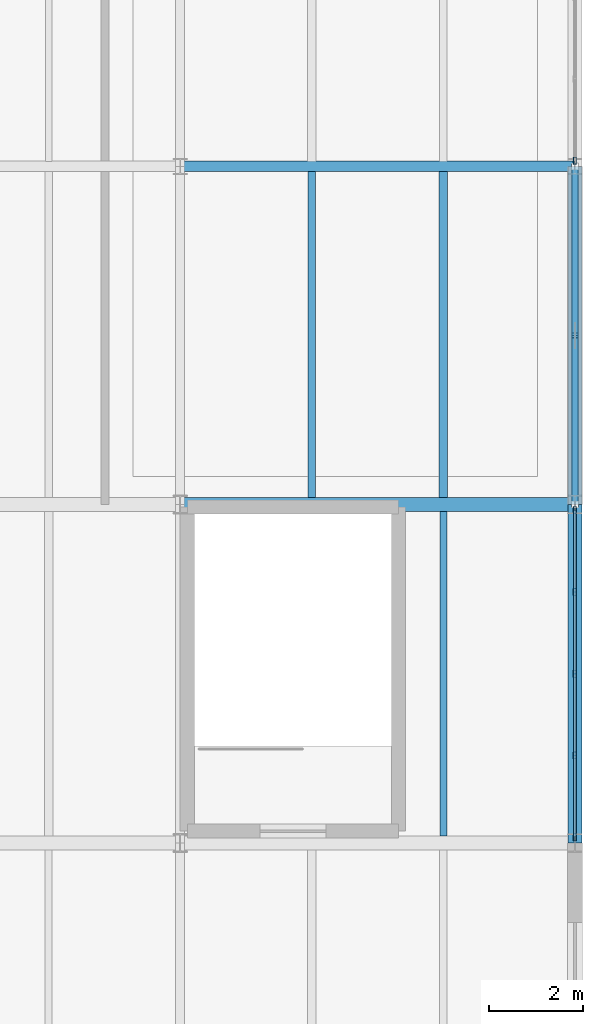
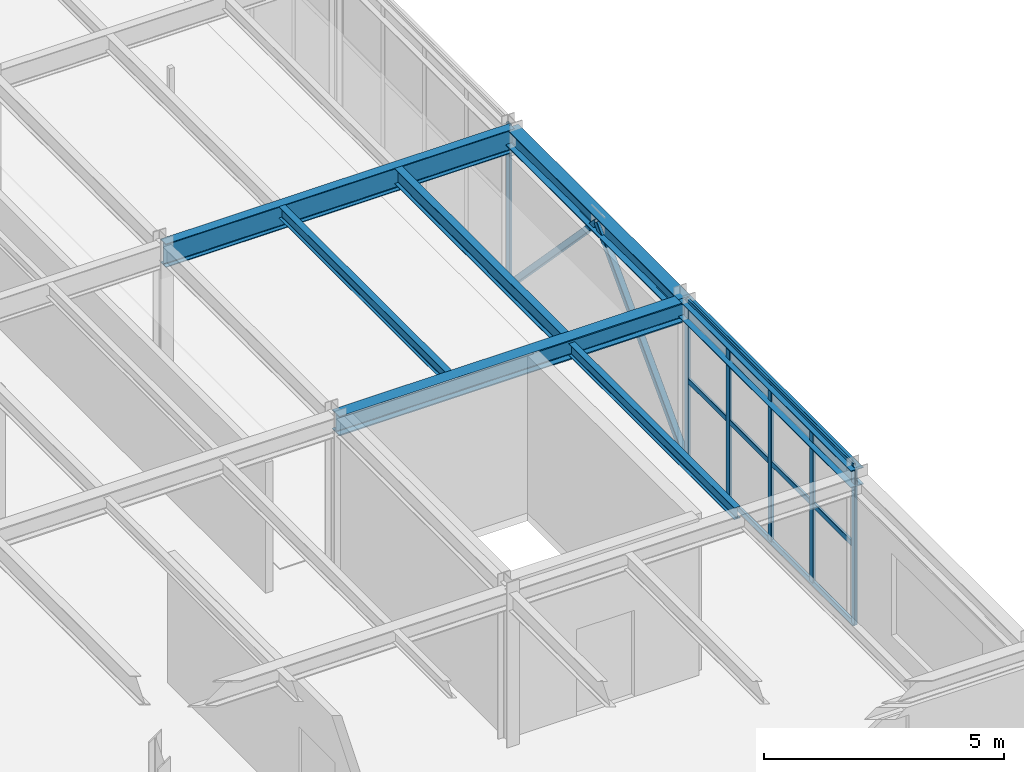
# One storey, part 31 of 73: 11 members, 7 beams, 2 elements without a shape of their own.
"""IFC4 building model written with IfcOpenShell, lengths in metres."""

from ifc_helpers import new_model, si_unit, derived_unit, direction, frame, origin, origin_2d, place, context, subcontext, project, spatial, hollow_rectangle, i_section, extrude, material, material_profile, profile_set, type_object, element, aggregate, save


model = new_model("IFC4")

# Units and contexts
model_context = context("Model", 3, precision=1e-05, world=origin(), true_north=direction((0.0, 1.0)))
body_context = subcontext(model_context, "Body", "Model", "MODEL_VIEW")
ifc_project = project(units=[si_unit("LENGTHUNIT", "METRE"), si_unit("AREAUNIT", "SQUARE_METRE"), si_unit("VOLUMEUNIT", "CUBIC_METRE"), si_unit("PLANEANGLEUNIT", "RADIAN"), si_unit("MASSUNIT", "GRAM", prefix="KILO"), derived_unit("THERMALTRANSMITTANCEUNIT", [(si_unit("MASSUNIT", "GRAM", prefix="KILO"), 1), (si_unit("TIMEUNIT", "SECOND"), -3), (si_unit("THERMODYNAMICTEMPERATUREUNIT", "KELVIN"), -1)])], contexts=[model_context])

# Site, building, storey
site_placement = place(None, origin())
site = spatial("IfcSite", under=ifc_project, at=site_placement, CompositionType="ELEMENT")
building_placement = place(site_placement, origin())
building = spatial("IfcBuilding", under=site, at=building_placement, Name="Kharveza Railside Sports Centre", CompositionType="ELEMENT")
storey_placement = place(building_placement, frame((0.0, 0.0, 8.699951171875)))
storey = spatial("IfcBuildingStorey", under=building, at=storey_placement, Name="L02", CompositionType="ELEMENT", Elevation=8.699951171875)

# Beams
ifc_material_1 = material(Name="Steel S355J2", Category="steel")
ifc_material_profile_1 = material_profile(ifc_material_1, i_section(OverallWidth=0.219970703125, OverallDepth=0.60009765625, WebThickness=0.011962890625, FlangeThickness=0.01904296875, FilletRadius=0.02392578125, at=origin_2d()), Name="IPE 600")
ifc_profile_set_1 = profile_set([ifc_material_profile_1], Name="Steel S355J2")
beam_type_1 = type_object("IfcBeamType", Name="BM-G01", PredefinedType="T_BEAM", material=ifc_profile_set_1)
beam_1_placement = place(storey_placement, frame((159.60009765625, 28.800048828125, 3.699951171875), z_axis=(1.0, 0.0, 0.0), x_axis=(0.0, 1.0, 0.0)))
element("IfcBeam", 1, at=beam_1_placement, inside=storey, type_object=beam_type_1, Name="BM-EW-L02-B01-X1596-Y288", PredefinedType="T_BEAM", context=body_context, shape_type="SweptSolid", body=[
    extrude(i_section(OverallWidth=0.219970703125, OverallDepth=0.60009765625, WebThickness=0.011962890625, FlangeThickness=0.01904296875, FilletRadius=0.02392578125, at=origin_2d()), origin(), (0.0, 0.0, 1.0), 8.39990234375),
])
ifc_material_profile_2 = material_profile(ifc_material_1, i_section(OverallWidth=0.300048828125, OverallDepth=0.5, WebThickness=0.014404296875, FlangeThickness=0.028076171875, FilletRadius=0.027099609375, at=origin_2d()), Name="HEB 500")
ifc_profile_set_2 = profile_set([ifc_material_profile_2], Name="Steel S355J2")
beam_type_2 = type_object("IfcBeamType", Name="BM-G05", PredefinedType="T_BEAM", material=ifc_profile_set_2)
beam_2_placement = place(storey_placement, frame((159.60009765625, 21.60009765625, 3.75), z_axis=(1.0, 0.0, 0.0), x_axis=(0.0, 1.0, 0.0)))
element("IfcBeam", 2, at=beam_2_placement, inside=storey, type_object=beam_type_2, Name="BM-EW-L02-B05-X1596-Y216", PredefinedType="T_BEAM", context=body_context, shape_type="SweptSolid", body=[
    extrude(i_section(OverallWidth=0.300048828125, OverallDepth=0.5, WebThickness=0.014404296875, FlangeThickness=0.028076171875, FilletRadius=0.027099609375, at=origin_2d()), origin(), (0.0, 0.0, 1.0), 8.39990234375),
])
ifc_material_profile_3 = material_profile(ifc_material_1, i_section(OverallWidth=0.179931640625, OverallDepth=0.39990234375, WebThickness=0.008544921875, FlangeThickness=0.013427734375, FilletRadius=0.02099609375, at=origin_2d()), Name="IPE 400")
ifc_profile_set_3 = profile_set([ifc_material_profile_3], Name="Steel S355J2")
beam_type_3 = type_object("IfcBeamType", Name="BM-S01", PredefinedType="BEAM", material=ifc_profile_set_3)
beam_3_placement = place(storey_placement, frame((165.199951171875, 21.7470703125, 3.800048828125), z_axis=(0.0, 1.0, 0.0), x_axis=(-1.0, 0.0, 0.0)))
element("IfcBeam", 3, at=beam_3_placement, inside=storey, type_object=beam_type_3, Name="BM-SEC-L02-B09-X1652-Y216", PredefinedType="BEAM", context=body_context, shape_type="SweptSolid", body=[
    extrude(i_section(OverallWidth=0.179931640625, OverallDepth=0.39990234375, WebThickness=0.008544921875, FlangeThickness=0.013427734375, FilletRadius=0.02099609375, at=origin_2d()), origin(), (0.0, 0.0, 1.0), 6.946044921875),
])
ifc_material_profile_4 = material_profile(ifc_material_1, i_section(OverallWidth=0.14990234375, OverallDepth=0.300048828125, WebThickness=0.007080078125, FlangeThickness=0.0107421875, FilletRadius=0.014892578125, at=origin_2d()), Name="IPE 300")
ifc_profile_set_4 = profile_set([ifc_material_profile_4], Name="Steel S355J2")
beam_type_4 = type_object("IfcBeamType", Name="BM-S04", PredefinedType="BEAM", material=ifc_profile_set_4)
beam_4_placement = place(storey_placement, frame((165.199951171875, 14.547119140625, 3.77001953125), z_axis=(0.0, 1.0, 0.0), x_axis=(-1.0, 0.0, 0.0)))
element("IfcBeam", 4, at=beam_4_placement, inside=storey, type_object=beam_type_4, Name="BM-SEC-L02-B12-X1652-Y144", PredefinedType="BEAM", context=body_context, shape_type="SweptSolid", body=[
    extrude(i_section(OverallWidth=0.14990234375, OverallDepth=0.300048828125, WebThickness=0.007080078125, FlangeThickness=0.0107421875, FilletRadius=0.014892578125, at=origin_2d()), origin(), (0.0, 0.0, 1.0), 6.90576171875),
])
beam_5_placement = place(storey_placement, frame((162.39990234375, 21.7470703125, 3.85009765625), z_axis=(0.0, 1.0, 0.0), x_axis=(-1.0, 0.0, 0.0)))
element("IfcBeam", 5, at=beam_5_placement, inside=storey, type_object=beam_type_4, Name="BM-SEC-L02-B12-X1624-Y216", PredefinedType="BEAM", context=body_context, shape_type="SweptSolid", body=[
    extrude(i_section(OverallWidth=0.14990234375, OverallDepth=0.300048828125, WebThickness=0.007080078125, FlangeThickness=0.0107421875, FilletRadius=0.014892578125, at=origin_2d()), origin(), (0.0, 0.0, 1.0), 6.946044921875),
])
ifc_material_profile_5 = material_profile(ifc_material_1, i_section(OverallWidth=0.300048828125, OverallDepth=0.43994140625, WebThickness=0.011474609375, FlangeThickness=0.02099609375, FilletRadius=0.027099609375, at=origin_2d()), Name="HEA 450")
ifc_profile_set_5 = profile_set([ifc_material_profile_5], Name="Steel S355J2")
beam_type_5 = type_object("IfcBeamType", Name="BM-SP01", PredefinedType="SPANDREL", material=ifc_profile_set_5)
beam_6_placement = place(storey_placement, frame((168.0, 14.39990234375, 3.780029296875), z_axis=(0.0, 1.0, 0.0), x_axis=(-1.0, 0.0, 0.0)))
element("IfcBeam", 6, at=beam_6_placement, inside=storey, type_object=beam_type_5, Name="BM-NS-L02-B15-X1680-Y144", PredefinedType="SPANDREL", context=body_context, shape_type="SweptSolid", body=[
    extrude(i_section(OverallWidth=0.300048828125, OverallDepth=0.43994140625, WebThickness=0.011474609375, FlangeThickness=0.02099609375, FilletRadius=0.027099609375, at=origin_2d()), origin(), (0.0, 0.0, 1.0), 7.2001953125),
])
beam_7_placement = place(storey_placement, frame((168.0, 21.60009765625, 3.780029296875), z_axis=(0.0, 1.0, 0.0), x_axis=(-1.0, 0.0, 0.0)))
element("IfcBeam", 7, at=beam_7_placement, inside=storey, type_object=beam_type_5, Name="BM-NS-L02-B15-X1680-Y216", PredefinedType="SPANDREL", context=body_context, shape_type="SweptSolid", body=[
    extrude(i_section(OverallWidth=0.300048828125, OverallDepth=0.43994140625, WebThickness=0.011474609375, FlangeThickness=0.02099609375, FilletRadius=0.027099609375, at=origin_2d()), origin(), (0.0, 0.0, 1.0), 7.199951171875),
])

# Curtain wall, members
ifc_material_2 = material(Name="Low-E solar-control laminated glass", Category="glass")
curtain_wall_type = type_object("IfcCurtainWallType", Name="CW-WG02", PredefinedType="NOTDEFINED", material=ifc_material_2)
curtain_wall_1_placement = place(storey_placement, origin())
curtain_wall_1 = element("IfcCurtainWall", 8, at=curtain_wall_1_placement, inside=storey, type_object=curtain_wall_type, Name="CW-WG-L02-CW-WG02-X1680-Y180", PredefinedType="NOTDEFINED")
ifc_material_3 = material(Name="Anodised aluminium 6063-T6", Category="aluminium")
ifc_material_profile_6 = material_profile(ifc_material_3, hollow_rectangle(XDim=0.06494140625, YDim=0.14990234375, WallThickness=0.0048828125, InnerFilletRadius=0.0048828125, OuterFilletRadius=0.010009765625, at=origin_2d()), Name="RHS 65x150x5.0")
ifc_profile_set_6 = profile_set([ifc_material_profile_6], Name="Anodised aluminium 6063-T6")
member_type_1 = type_object("IfcMemberType", Name="CW-ML04", PredefinedType="MULLION", material=ifc_profile_set_6)
member_1_placement = place(storey_placement, frame((168.0, 14.52001953125, 0.0), z_axis=(0.0, 0.0, 1.0), x_axis=(1.0, 0.0, 0.0)))
member_1 = element("IfcMember", 9, at=member_1_placement, type_object=member_type_1, Name="CW-WG-L02-CW-WG02-X1680-Y180-ML1", PredefinedType="MULLION", context=body_context, shape_type="SweptSolid", body=[
    extrude(hollow_rectangle(XDim=0.06494140625, YDim=0.14990234375, WallThickness=0.0048828125, InnerFilletRadius=0.0048828125, OuterFilletRadius=0.010009765625, at=origin_2d()), origin(), (0.0, 0.0, 1.0), 4.0),
])
member_2_placement = place(storey_placement, frame((168.0, 16.260009765625, 0.0), z_axis=(0.0, 0.0, 1.0), x_axis=(1.0, 0.0, 0.0)))
member_2 = element("IfcMember", 10, at=member_2_placement, type_object=member_type_1, Name="CW-WG-L02-CW-WG02-X1680-Y180-ML2", PredefinedType="MULLION", context=body_context, shape_type="SweptSolid", body=[
    extrude(hollow_rectangle(XDim=0.06494140625, YDim=0.14990234375, WallThickness=0.0048828125, InnerFilletRadius=0.0048828125, OuterFilletRadius=0.010009765625, at=origin_2d()), origin(), (0.0, 0.0, 1.0), 4.0),
])
member_3_placement = place(storey_placement, frame((168.0, 18.0, 0.0), z_axis=(0.0, 0.0, 1.0), x_axis=(1.0, 0.0, 0.0)))
member_3 = element("IfcMember", 11, at=member_3_placement, type_object=member_type_1, Name="CW-WG-L02-CW-WG02-X1680-Y180-ML3", PredefinedType="MULLION", context=body_context, shape_type="SweptSolid", body=[
    extrude(hollow_rectangle(XDim=0.06494140625, YDim=0.14990234375, WallThickness=0.0048828125, InnerFilletRadius=0.0048828125, OuterFilletRadius=0.010009765625, at=origin_2d()), origin(), (0.0, 0.0, 1.0), 4.0),
])
member_4_placement = place(storey_placement, frame((168.0, 19.739990234375, 0.0), z_axis=(0.0, 0.0, 1.0), x_axis=(1.0, 0.0, 0.0)))
member_4 = element("IfcMember", 12, at=member_4_placement, type_object=member_type_1, Name="CW-WG-L02-CW-WG02-X1680-Y180-ML4", PredefinedType="MULLION", context=body_context, shape_type="SweptSolid", body=[
    extrude(hollow_rectangle(XDim=0.06494140625, YDim=0.14990234375, WallThickness=0.0048828125, InnerFilletRadius=0.0048828125, OuterFilletRadius=0.010009765625, at=origin_2d()), origin(), (0.0, 0.0, 1.0), 4.0),
])
member_5_placement = place(storey_placement, frame((168.0, 21.47998046875, 0.0), z_axis=(0.0, 0.0, 1.0), x_axis=(1.0, 0.0, 0.0)))
member_5 = element("IfcMember", 13, at=member_5_placement, type_object=member_type_1, Name="CW-WG-L02-CW-WG02-X1680-Y180-ML5", PredefinedType="MULLION", context=body_context, shape_type="SweptSolid", body=[
    extrude(hollow_rectangle(XDim=0.06494140625, YDim=0.14990234375, WallThickness=0.0048828125, InnerFilletRadius=0.0048828125, OuterFilletRadius=0.010009765625, at=origin_2d()), origin(), (0.0, 0.0, 1.0), 4.0),
])

# Curtain wall, member
curtain_wall_2_placement = place(storey_placement, origin())
curtain_wall_2 = element("IfcCurtainWall", 14, at=curtain_wall_2_placement, inside=storey, type_object=curtain_wall_type, Name="CW-WG-L02-CW-WG02-X1680-Y324", PredefinedType="NOTDEFINED")
member_6_placement = place(storey_placement, frame((168.0, 28.919921875, 0.0), z_axis=(0.0, 0.0, 1.0), x_axis=(1.0, 0.0, 0.0)))
member_6 = element("IfcMember", 15, at=member_6_placement, type_object=member_type_1, Name="CW-WG-L02-CW-WG02-X1680-Y324-ML1", PredefinedType="MULLION", context=body_context, shape_type="SweptSolid", body=[
    extrude(hollow_rectangle(XDim=0.06494140625, YDim=0.14990234375, WallThickness=0.0048828125, InnerFilletRadius=0.0048828125, OuterFilletRadius=0.010009765625, at=origin_2d()), origin(), (0.0, 0.0, 1.0), 4.0),
])
aggregate(curtain_wall_2, [member_6])

# Member
ifc_material_profile_7 = material_profile(ifc_material_3, hollow_rectangle(XDim=0.06005859375, YDim=0.139892578125, WallThickness=0.0048828125, InnerFilletRadius=0.0048828125, OuterFilletRadius=0.010009765625, at=origin_2d()), Name="RHS 60x140x5.0")
ifc_profile_set_7 = profile_set([ifc_material_profile_7], Name="Anodised aluminium 6063-T6")
member_type_2 = type_object("IfcMemberType", Name="CW-TR04", PredefinedType="USERDEFINED", material=ifc_profile_set_7)
member_7_placement = place(storey_placement, frame((168.0, 14.52001953125, 0.0), z_axis=(0.0, 1.0, 0.0), x_axis=(-1.0, 0.0, 0.0)))
member_7 = element("IfcMember", 16, at=member_7_placement, type_object=member_type_2, Name="CW-WG-L02-CW-WG02-X1680-Y180-TR1", ObjectType="TRANSOM", PredefinedType="USERDEFINED", context=body_context, shape_type="SweptSolid", body=[
    extrude(hollow_rectangle(XDim=0.06005859375, YDim=0.139892578125, WallThickness=0.0048828125, InnerFilletRadius=0.0048828125, OuterFilletRadius=0.010009765625, at=origin_2d()), origin(), (0.0, 0.0, 1.0), 6.9599609375),
])

member_8_placement = place(storey_placement, frame((168.0, 14.52001953125, 2.0), z_axis=(0.0, 1.0, 0.0), x_axis=(-1.0, 0.0, 0.0)))
member_8 = element("IfcMember", 17, at=member_8_placement, type_object=member_type_2, Name="CW-WG-L02-CW-WG02-X1680-Y180-TR2", ObjectType="TRANSOM", PredefinedType="USERDEFINED", context=body_context, shape_type="SweptSolid", body=[
    extrude(hollow_rectangle(XDim=0.06005859375, YDim=0.139892578125, WallThickness=0.0048828125, InnerFilletRadius=0.0048828125, OuterFilletRadius=0.010009765625, at=origin_2d()), origin(), (0.0, 0.0, 1.0), 6.9599609375),
])

member_9_placement = place(storey_placement, frame((168.0, 14.52001953125, 4.0), z_axis=(0.0, 1.0, 0.0), x_axis=(-1.0, 0.0, 0.0)))
member_9 = element("IfcMember", 18, at=member_9_placement, type_object=member_type_2, Name="CW-WG-L02-CW-WG02-X1680-Y180-TR3", ObjectType="TRANSOM", PredefinedType="USERDEFINED", context=body_context, shape_type="SweptSolid", body=[
    extrude(hollow_rectangle(XDim=0.06005859375, YDim=0.139892578125, WallThickness=0.0048828125, InnerFilletRadius=0.0048828125, OuterFilletRadius=0.010009765625, at=origin_2d()), origin(), (0.0, 0.0, 1.0), 6.9599609375),
])

aggregate(curtain_wall_1, [member_1, member_2, member_3, member_4, member_5, member_7, member_8, member_9])

# Members
ifc_material_profile_8 = material_profile(ifc_material_1, hollow_rectangle(XDim=0.14990234375, YDim=0.14990234375, WallThickness=0.008056640625, InnerFilletRadius=0.008056640625, OuterFilletRadius=0.01611328125, at=origin_2d()), Name="SHS 150x150x8.0")
ifc_profile_set_8 = profile_set([ifc_material_profile_8], Name="Steel S355J2")
member_type_3 = type_object("IfcMemberType", Name="MB-BR02", PredefinedType="BRACE", material=ifc_profile_set_8)
member_10_placement = place(storey_placement, frame((168.0, 21.60009765625, 0.0), z_axis=(0.0, 0.692517163318, 0.721401399021), x_axis=(-1.0, 0.0, 0.0)))
element("IfcMember", 19, at=member_10_placement, inside=storey, type_object=member_type_3, Name="MB-CHEV-NS-016A", PredefinedType="BRACE", context=body_context, shape_type="SweptSolid", body=[
    extrude(hollow_rectangle(XDim=0.14990234375, YDim=0.14990234375, WallThickness=0.008056640625, InnerFilletRadius=0.008056640625, OuterFilletRadius=0.01611328125, at=origin_2d()), origin(), (0.0, 0.0, 1.0), 5.1982421875),
])
member_11_placement = place(storey_placement, frame((168.0, 28.800048828125, 0.0), z_axis=(0.0, -0.692541604294, 0.721377935844), x_axis=(1.0, 0.0, 0.0)))
element("IfcMember", 20, at=member_11_placement, inside=storey, type_object=member_type_3, Name="MB-CHEV-NS-016B", PredefinedType="BRACE", context=body_context, shape_type="SweptSolid", body=[
    extrude(hollow_rectangle(XDim=0.14990234375, YDim=0.14990234375, WallThickness=0.008056640625, InnerFilletRadius=0.008056640625, OuterFilletRadius=0.01611328125, at=origin_2d()), origin(), (0.0, 0.0, 1.0), 5.198486328125),
])

save(model, "model.ifc")
